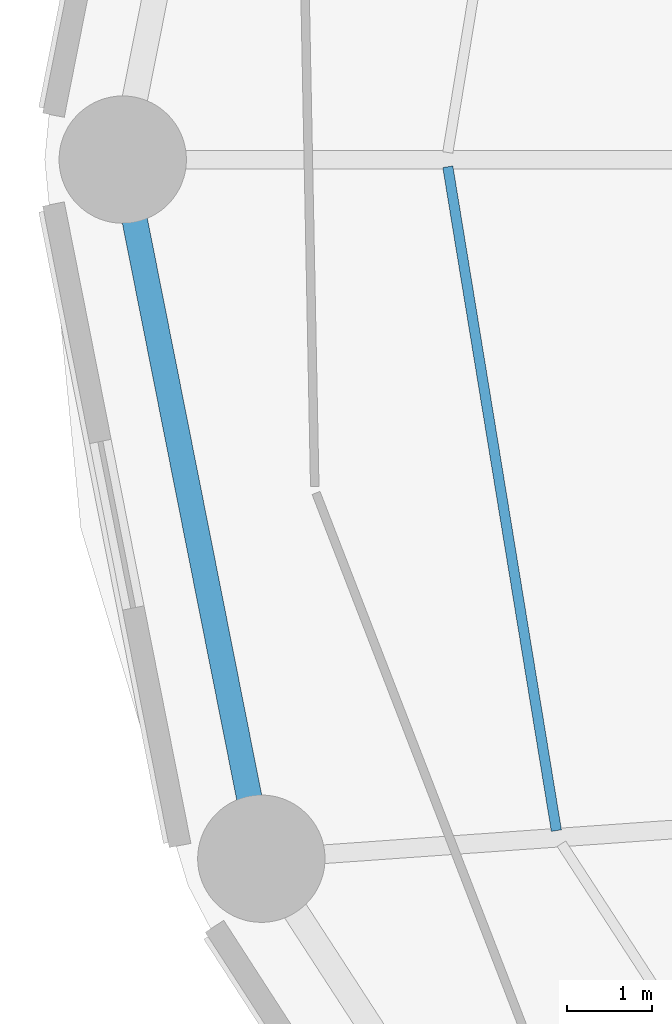
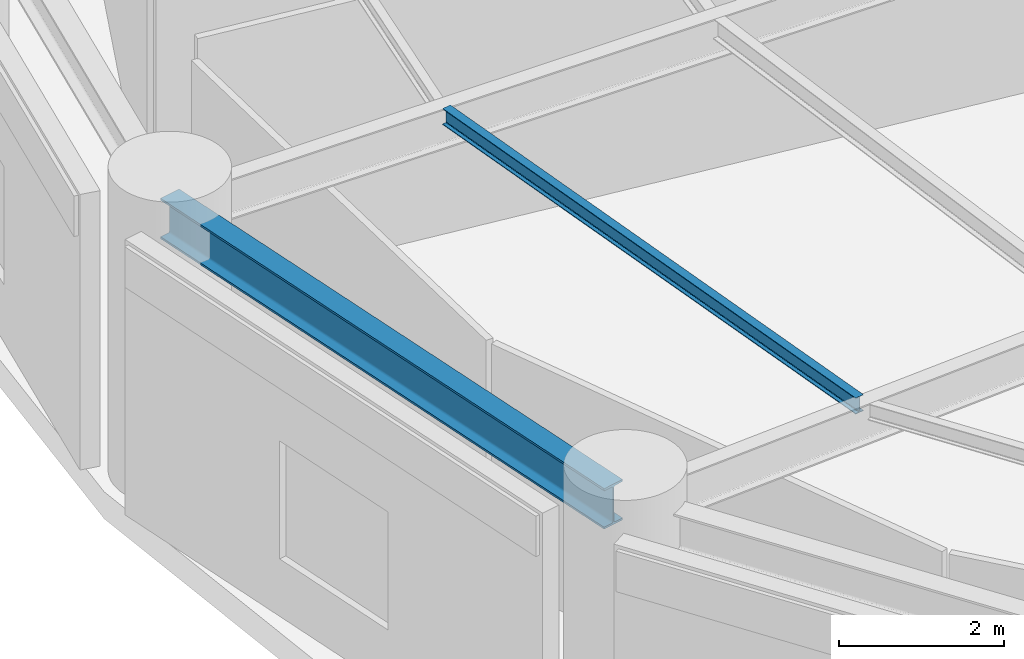
# One storey, part 13 of 52: 2 beams.
"""IFC4 building model written with IfcOpenShell, lengths in metres."""

from ifc_helpers import new_model, si_unit, direction, frame, origin, origin_2d, place, context, subcontext, project, spatial, i_section, extrude, material, material_profile, profile_set, type_object, element, save


model = new_model("IFC4")

# Units and contexts
model_context = context("Model", 3, precision=1e-05, world=origin(), true_north=direction((0.0, 1.0)))
body_context = subcontext(model_context, "Body", "Model", "MODEL_VIEW")
ifc_project = project(units=[si_unit("LENGTHUNIT", "METRE"), si_unit("AREAUNIT", "SQUARE_METRE"), si_unit("VOLUMEUNIT", "CUBIC_METRE"), si_unit("PLANEANGLEUNIT", "RADIAN"), si_unit("MASSUNIT", "GRAM", prefix="KILO")], contexts=[model_context])

# Site, building, storey
site_placement = place(None, origin())
site = spatial("IfcSite", under=ifc_project, at=site_placement, CompositionType="ELEMENT")
building_placement = place(site_placement, origin())
building = spatial("IfcBuilding", under=site, at=building_placement, Name="Kelanora Arch Commons", CompositionType="ELEMENT")
storey_placement = place(building_placement, frame((0.0, 0.0, 13.5)))
storey = spatial("IfcBuildingStorey", under=building, at=storey_placement, Name="L03", CompositionType="ELEMENT", Elevation=13.5)

# Beams
ifc_material = material(Name="Steel S355", Category="steel")
ifc_material_profile_1 = material_profile(ifc_material, i_section(OverallWidth=0.1201171875, OverallDepth=0.239990234375, WebThickness=0.006103515625, FlangeThickness=0.009765625, FilletRadius=0.014892578125, at=origin_2d()), Name="IPE240")
ifc_profile_set_1 = profile_set([ifc_material_profile_1], Name="Steel S355")
beam_type_1 = type_object("IfcBeamType", Name="BM-JST-02", PredefinedType="JOIST", material=ifc_profile_set_1)
beam_1_placement = place(storey_placement, frame((50.749755859375, 57.916015625, 3.97998046875), z_axis=(0.161400737199, -0.986888951216, 0.0), x_axis=(0.986888951216, 0.161400737199, 0.0)))
element("IfcBeam", 1, at=beam_1_placement, inside=storey, type_object=beam_type_1, Name="Secondary Chord Joist BJC-18 L03", PredefinedType="JOIST", context=body_context, shape_type="SweptSolid", body=[
    extrude(i_section(OverallWidth=0.1201171875, OverallDepth=0.239990234375, WebThickness=0.006103515625, FlangeThickness=0.009765625, FilletRadius=0.014892578125, at=origin_2d()), origin(), (0.0, 0.0, 1.0), 7.9248046875),
])
ifc_material_profile_2 = material_profile(ifc_material, i_section(OverallWidth=0.300048828125, OverallDepth=0.60009765625, WebThickness=0.015380859375, FlangeThickness=0.030029296875, FilletRadius=0.027099609375, at=origin_2d()), Name="HEB600")
ifc_profile_set_2 = profile_set([ifc_material_profile_2], Name="Steel S355")
beam_type_2 = type_object("IfcBeamType", Name="BM-SPN-Z1", PredefinedType="SPANDREL", material=ifc_profile_set_2)
beam_2_placement = place(storey_placement, frame((46.919921875, 58.0, 3.800048828125), z_axis=(0.194508025468, -0.980900926714, 0.0), x_axis=(0.980900926714, 0.194508025468, 0.0)))
element("IfcBeam", 2, at=beam_2_placement, inside=storey, type_object=beam_type_2, Name="Perimeter Spandrel Beam BS-18 L03", PredefinedType="SPANDREL", context=body_context, shape_type="SweptSolid", body=[
    extrude(i_section(OverallWidth=0.300048828125, OverallDepth=0.60009765625, WebThickness=0.015380859375, FlangeThickness=0.030029296875, FilletRadius=0.027099609375, at=origin_2d()), origin(), (0.0, 0.0, 1.0), 8.17626953125),
])

save(model, "model.ifc")
